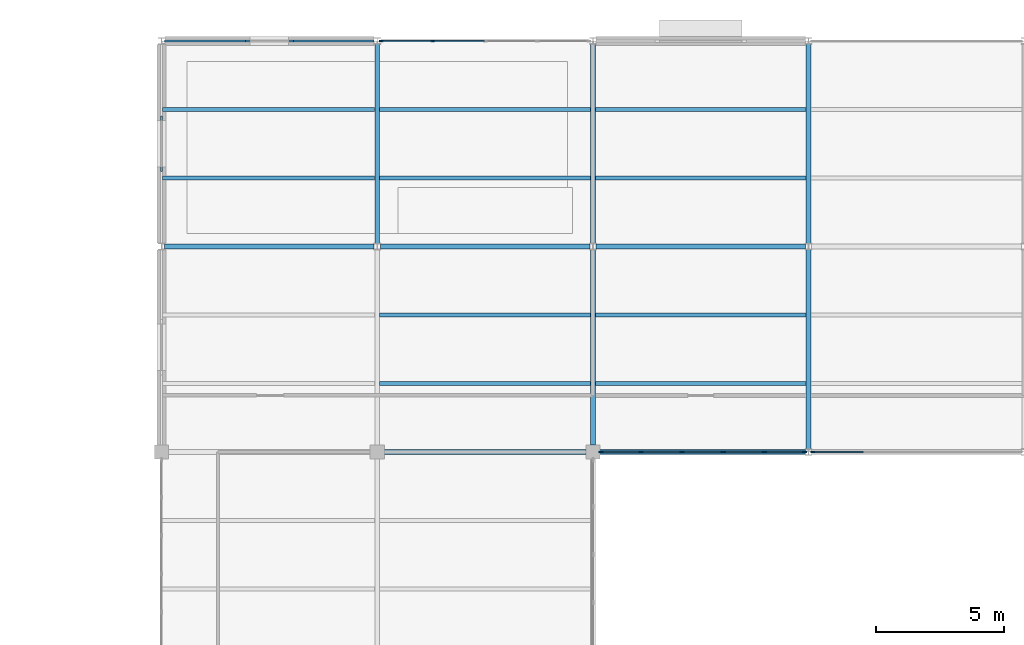
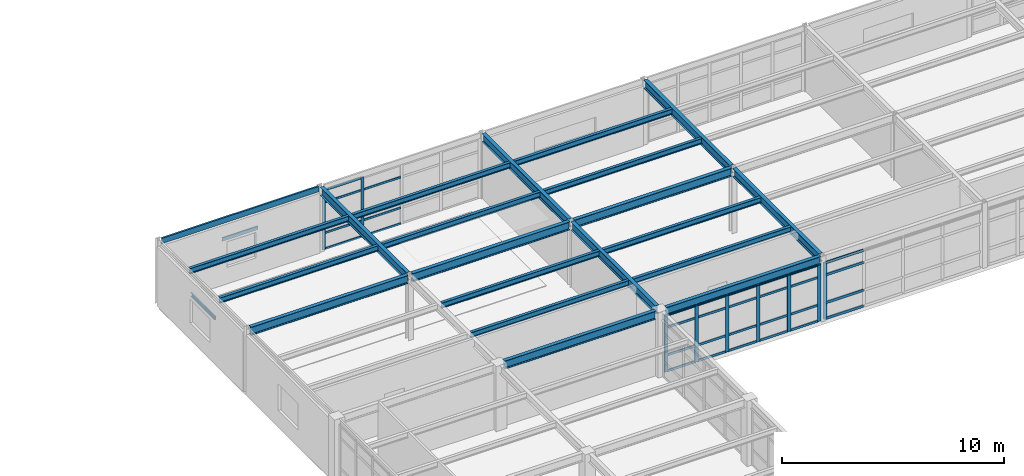
# One storey, part 24 of 53: 40 members, 23 beams, 3 elements without a shape of their own.
"""IFC4 building model written with IfcOpenShell, lengths in metres."""

from ifc_helpers import new_model, si_unit, direction, frame, origin, origin_2d, place, context, subcontext, project, spatial, rectangle, i_section, u_section, extrude, material, layer, layer_set, material_profile, profile_set, type_object, element, aggregate, save


model = new_model("IFC4")

# Units and contexts
model_context = context("Model", 3, precision=1e-05, world=origin(), true_north=direction((0.0, 1.0)))
body_context = subcontext(model_context, "Body", "Model", "MODEL_VIEW")
ifc_project = project(units=[si_unit("LENGTHUNIT", "METRE"), si_unit("AREAUNIT", "SQUARE_METRE"), si_unit("VOLUMEUNIT", "CUBIC_METRE"), si_unit("PLANEANGLEUNIT", "RADIAN"), si_unit("MASSUNIT", "GRAM", prefix="KILO")], contexts=[model_context])

# Site, building, storey
site_placement = place(None, origin())
site = spatial("IfcSite", under=ifc_project, at=site_placement, CompositionType="ELEMENT")
building_placement = place(site_placement, origin())
building = spatial("IfcBuilding", under=site, at=building_placement, Name="Kranzveld Transit Interchange", CompositionType="ELEMENT")
storey_placement = place(building_placement, frame((0.0, 0.0, 13.360107421875)))
storey = spatial("IfcBuildingStorey", under=building, at=storey_placement, Name="L03", CompositionType="ELEMENT", Elevation=13.360107421875)

# Beams
ifc_material_1 = material(Name="Steel S355JR", Category="steel")
ifc_material_profile_1 = material_profile(ifc_material_1, i_section(OverallWidth=0.18994140625, OverallDepth=0.453369140625, WebThickness=0.008544921875, FlangeThickness=0.0126953125, FilletRadius=0.01025390625, at=origin_2d()), Name="UB 457x191x67")
ifc_profile_set_1 = profile_set([ifc_material_profile_1], Name="Steel S355JR")
beam_type_1 = type_object("IfcBeamType", Name="Beam Steel UB 457x191x67 S355JR", PredefinedType="BEAM", material=ifc_profile_set_1)
beam_1_placement = place(storey_placement, frame((109.199951171875, 104.1201171875, 3.353271484375), z_axis=(0.0, 1.0, 0.0), x_axis=(-1.0, 0.0, 0.0)))
element("IfcBeam", 1, at=beam_1_placement, inside=storey, type_object=beam_type_1, Name="L03 Girder 14/P-Q", PredefinedType="BEAM", context=body_context, shape_type="SweptSolid", body=[
    extrude(i_section(OverallWidth=0.18994140625, OverallDepth=0.453369140625, WebThickness=0.008544921875, FlangeThickness=0.0126953125, FilletRadius=0.01025390625, at=origin_2d()), origin(), (0.0, 0.0, 1.0), 7.759765625),
])
beam_2_placement = place(storey_placement, frame((117.60009765625, 96.264892578125, 3.353271484375), z_axis=(0.0, 1.0, 0.0), x_axis=(-1.0, 0.0, 0.0)))
element("IfcBeam", 2, at=beam_2_placement, inside=storey, type_object=beam_type_1, Name="L03 Girder 15/N-P", PredefinedType="BEAM", context=body_context, shape_type="SweptSolid", body=[
    extrude(i_section(OverallWidth=0.18994140625, OverallDepth=0.453369140625, WebThickness=0.008544921875, FlangeThickness=0.0126953125, FilletRadius=0.01025390625, at=origin_2d()), origin(), (0.0, 0.0, 1.0), 7.614990234375),
])
for number, where, z_axis, x_axis, name in (
    (3, (117.60009765625, 104.1201171875, 3.353271484375), (0.0, 1.0, 0.0), (-1.0, 0.0, 0.0), "L03 Girder 15/P-Q"),
    (4, (126.0, 96.1201171875, 3.353271484375), (0.0, 1.0, 0.0), (-1.0, 0.0, 0.0), "L03 Girder 16/N-P"),
    (5, (126.0, 104.1201171875, 3.353271484375), (0.0, 1.0, 0.0), (-1.0, 0.0, 0.0), "L03 Girder 16/P-Q"),
):
    element("IfcBeam", number, at=place(storey_placement, frame(where, z_axis=z_axis, x_axis=x_axis)), inside=storey, type_object=beam_type_1, Name=name, PredefinedType="BEAM", context=body_context, shape_type="SweptSolid", body=[
        extrude(i_section(OverallWidth=0.18994140625, OverallDepth=0.453369140625, WebThickness=0.008544921875, FlangeThickness=0.0126953125, FilletRadius=0.01025390625, at=origin_2d()), origin(), (0.0, 0.0, 1.0), 7.759765625),
    ])
ifc_material_2 = material(Name="Steel S355JR", Category="steel")
ifc_material_profile_2 = material_profile(ifc_material_2, i_section(OverallWidth=0.1904296875, OverallDepth=0.45703125, WebThickness=0.009033203125, FlangeThickness=0.014404296875, FilletRadius=0.01025390625, at=origin_2d()), Name="UB 457x191x74")
ifc_profile_set_2 = profile_set([ifc_material_profile_2], Name="Steel S355JR")
beam_type_2 = type_object("IfcBeamType", Name="Beam Steel UB 457x191x74 S355JR", PredefinedType="BEAM", material=ifc_profile_set_2)
beam_3_placement = place(storey_placement, frame((109.465087890625, 96.0, 3.351318359375), z_axis=(1.0, 0.0, 0.0), x_axis=(0.0, 1.0, 0.0)))
element("IfcBeam", 6, at=beam_3_placement, inside=storey, type_object=beam_type_2, Name="L03 Girder 14-15/N", PredefinedType="BEAM", context=body_context, shape_type="SweptSolid", body=[
    extrude(i_section(OverallWidth=0.1904296875, OverallDepth=0.45703125, WebThickness=0.009033203125, FlangeThickness=0.014404296875, FilletRadius=0.01025390625, at=origin_2d()), origin(), (0.0, 0.0, 1.0), 7.869873046875),
])
beam_4_placement = place(storey_placement, frame((117.864990234375, 96.0, 3.351318359375), z_axis=(1.0, 0.0, 0.0), x_axis=(0.0, 1.0, 0.0)))
element("IfcBeam", 7, at=beam_4_placement, inside=storey, type_object=beam_type_2, Name="L03 Girder 15-16/N", PredefinedType="BEAM", context=body_context, shape_type="SweptSolid", body=[
    extrude(i_section(OverallWidth=0.1904296875, OverallDepth=0.45703125, WebThickness=0.009033203125, FlangeThickness=0.014404296875, FilletRadius=0.01025390625, at=origin_2d()), origin(), (0.0, 0.0, 1.0), 8.016845703125),
])
beam_5_placement = place(storey_placement, frame((100.918212890625, 104.0, 3.351318359375), z_axis=(1.0, 0.0, 0.0), x_axis=(0.0, 1.0, 0.0)))
element("IfcBeam", 8, at=beam_5_placement, inside=storey, type_object=beam_type_2, Name="L03 Girder 13-14/P", PredefinedType="BEAM", context=body_context, shape_type="SweptSolid", body=[
    extrude(i_section(OverallWidth=0.1904296875, OverallDepth=0.45703125, WebThickness=0.009033203125, FlangeThickness=0.014404296875, FilletRadius=0.01025390625, at=origin_2d()), origin(), (0.0, 0.0, 1.0), 8.16357421875),
])
for number, where, z_axis, x_axis, name in (
    (9, (109.318115234375, 104.0, 3.351318359375), (1.0, 0.0, 0.0), (0.0, 1.0, 0.0), "L03 Girder 14-15/P"),
    (10, (117.718017578125, 104.0, 3.351318359375), (1.0, 0.0, 0.0), (0.0, 1.0, 0.0), "L03 Girder 15-16/P"),
):
    element("IfcBeam", number, at=place(storey_placement, frame(where, z_axis=z_axis, x_axis=x_axis)), inside=storey, type_object=beam_type_2, Name=name, PredefinedType="BEAM", context=body_context, shape_type="SweptSolid", body=[
        extrude(i_section(OverallWidth=0.1904296875, OverallDepth=0.45703125, WebThickness=0.009033203125, FlangeThickness=0.014404296875, FilletRadius=0.01025390625, at=origin_2d()), origin(), (0.0, 0.0, 1.0), 8.163818359375),
    ])

# Curtain wall, member
ifc_material_3 = material(Name="Bronze-anodised thermally broken aluminium", Category="aluminium")
ifc_layer_1 = layer(ifc_material_3, 0.159912109375)
ifc_layer_set_1 = layer_set([ifc_layer_1], Name="Bronze-anodised thermally broken aluminium")
curtain_wall_type_1 = type_object("IfcCurtainWallType", Name="Bus Boarding Glazed Screen CW-3", PredefinedType="USERDEFINED", material=ifc_layer_set_1)
curtain_wall_1_placement = place(storey_placement, origin())
curtain_wall_1 = element("IfcCurtainWall", 11, at=curtain_wall_1_placement, inside=storey, type_object=curtain_wall_type_1, Name="L03 Curtain Wall 16/N-17/N", ObjectType="CURTAIN WALL", PredefinedType="USERDEFINED")
ifc_material_4 = material(Name="Bronze-anodised thermally broken aluminium", Category="aluminium")
ifc_material_profile_3 = material_profile(ifc_material_4, rectangle(XDim=0.06005859375, YDim=0.14990234375, at=origin_2d()), Name="ALU MULLION 60x150")
ifc_profile_set_3 = profile_set([ifc_material_profile_3], Name="Bronze-anodised thermally broken aluminium")
member_type_1 = type_object("IfcMemberType", Name="Curtain Wall Mullion 60x150 Alu", PredefinedType="MULLION", material=ifc_profile_set_3)
member_1_placement = place(storey_placement, frame((126.158203125, 96.0, 0.0), z_axis=(0.0, 0.0, 1.0), x_axis=(0.0, 1.0, 0.0)))
member_1 = element("IfcMember", 12, at=member_1_placement, type_object=member_type_1, Name="CW-3 mullion 1", PredefinedType="MULLION", context=body_context, shape_type="SweptSolid", body=[
    extrude(rectangle(XDim=0.06005859375, YDim=0.14990234375, at=origin_2d()), origin(), (0.0, 0.0, 1.0), 3.122802734375),
])

# Curtain wall, members
curtain_wall_2_placement = place(storey_placement, origin())
curtain_wall_2 = element("IfcCurtainWall", 13, at=curtain_wall_2_placement, inside=storey, type_object=curtain_wall_type_1, Name="L03 Curtain Wall 14/Q-15/Q", ObjectType="CURTAIN WALL", PredefinedType="USERDEFINED")
member_2_placement = place(storey_placement, frame((109.358154296875, 112.0, 0.0), z_axis=(0.0, 0.0, 1.0), x_axis=(0.0, 1.0, 0.0)))
member_2 = element("IfcMember", 14, at=member_2_placement, type_object=member_type_1, Name="CW-3 mullion 1", PredefinedType="MULLION", context=body_context, shape_type="SweptSolid", body=[
    extrude(rectangle(XDim=0.06005859375, YDim=0.14990234375, at=origin_2d()), origin(), (0.0, 0.0, 1.0), 3.27978515625),
])
member_3_placement = place(storey_placement, frame((111.364013671875, 112.0, 0.0), z_axis=(0.0, 0.0, 1.0), x_axis=(0.0, 1.0, 0.0)))
member_3 = element("IfcMember", 15, at=member_3_placement, type_object=member_type_1, Name="CW-3 mullion 2", PredefinedType="MULLION", context=body_context, shape_type="SweptSolid", body=[
    extrude(rectangle(XDim=0.06005859375, YDim=0.14990234375, at=origin_2d()), origin(), (0.0, 0.0, 1.0), 3.27978515625),
])

ifc_material_5 = material(Name="Bronze-anodised thermally broken aluminium", Category="aluminium")
ifc_layer_2 = layer(ifc_material_5, 0.1650390625)
ifc_layer_set_2 = layer_set([ifc_layer_2], Name="Bronze-anodised thermally broken aluminium")
curtain_wall_type_2 = type_object("IfcCurtainWallType", Name="Sunny Court Arcade Curtain Wall CW-2", PredefinedType="USERDEFINED", material=ifc_layer_set_2)
curtain_wall_3_placement = place(storey_placement, origin())
curtain_wall_3 = element("IfcCurtainWall", 16, at=curtain_wall_3_placement, inside=storey, type_object=curtain_wall_type_2, Name="L03 Curtain Wall 15/N-16/N", ObjectType="CURTAIN WALL", PredefinedType="USERDEFINED")
ifc_material_6 = material(Name="Bronze-anodised thermally broken aluminium", Category="aluminium")
ifc_material_profile_4 = material_profile(ifc_material_6, rectangle(XDim=0.06494140625, YDim=0.179931640625, at=origin_2d()), Name="ALU MULLION 65x180")
ifc_profile_set_4 = profile_set([ifc_material_profile_4], Name="Bronze-anodised thermally broken aluminium")
member_type_2 = type_object("IfcMemberType", Name="Curtain Wall Mullion 65x180 Alu", PredefinedType="MULLION", material=ifc_profile_set_4)
member_4_placement = place(storey_placement, frame((117.907470703125, 96.0, 0.0), z_axis=(0.0, 0.0, 1.0), x_axis=(0.0, 1.0, 0.0)))
member_4 = element("IfcMember", 17, at=member_4_placement, type_object=member_type_2, Name="CW-2 mullion 1", PredefinedType="MULLION", context=body_context, shape_type="SweptSolid", body=[
    extrude(rectangle(XDim=0.06494140625, YDim=0.179931640625, at=origin_2d()), origin(), (0.0, 0.0, 1.0), 3.122802734375),
])
member_5_placement = place(storey_placement, frame((119.474365234375, 96.0, 0.0), z_axis=(0.0, 0.0, 1.0), x_axis=(0.0, 1.0, 0.0)))
member_5 = element("IfcMember", 18, at=member_5_placement, type_object=member_type_2, Name="CW-2 mullion 2", PredefinedType="MULLION", context=body_context, shape_type="SweptSolid", body=[
    extrude(rectangle(XDim=0.06494140625, YDim=0.179931640625, at=origin_2d()), origin(), (0.0, 0.0, 1.0), 3.122802734375),
])
member_6_placement = place(storey_placement, frame((121.07373046875, 96.0, 0.0), z_axis=(0.0, 0.0, 1.0), x_axis=(0.0, 1.0, 0.0)))
member_6 = element("IfcMember", 19, at=member_6_placement, type_object=member_type_2, Name="CW-2 mullion 3", PredefinedType="MULLION", context=body_context, shape_type="SweptSolid", body=[
    extrude(rectangle(XDim=0.06494140625, YDim=0.179931640625, at=origin_2d()), origin(), (0.0, 0.0, 1.0), 3.122802734375),
])
member_7_placement = place(storey_placement, frame((122.673095703125, 96.0, 0.0), z_axis=(0.0, 0.0, 1.0), x_axis=(0.0, 1.0, 0.0)))
member_7 = element("IfcMember", 20, at=member_7_placement, type_object=member_type_2, Name="CW-2 mullion 4", PredefinedType="MULLION", context=body_context, shape_type="SweptSolid", body=[
    extrude(rectangle(XDim=0.06494140625, YDim=0.179931640625, at=origin_2d()), origin(), (0.0, 0.0, 1.0), 3.122802734375),
])
member_8_placement = place(storey_placement, frame((124.2724609375, 96.0, 0.0), z_axis=(0.0, 0.0, 1.0), x_axis=(0.0, 1.0, 0.0)))
member_8 = element("IfcMember", 21, at=member_8_placement, type_object=member_type_2, Name="CW-2 mullion 5", PredefinedType="MULLION", context=body_context, shape_type="SweptSolid", body=[
    extrude(rectangle(XDim=0.06494140625, YDim=0.179931640625, at=origin_2d()), origin(), (0.0, 0.0, 1.0), 3.122802734375),
])
member_9_placement = place(storey_placement, frame((125.83935546875, 96.0, 0.0), z_axis=(0.0, 0.0, 1.0), x_axis=(0.0, 1.0, 0.0)))
member_9 = element("IfcMember", 22, at=member_9_placement, type_object=member_type_2, Name="CW-2 mullion 6", PredefinedType="MULLION", context=body_context, shape_type="SweptSolid", body=[
    extrude(rectangle(XDim=0.06494140625, YDim=0.179931640625, at=origin_2d()), origin(), (0.0, 0.0, 1.0), 3.122802734375),
])

# Member
ifc_material_7 = material(Name="Bronze-anodised thermally broken aluminium", Category="aluminium")
ifc_material_profile_5 = material_profile(ifc_material_7, rectangle(XDim=0.06005859375, YDim=0.110107421875, at=origin_2d()), Name="ALU TRANSOM 60x110")
ifc_profile_set_5 = profile_set([ifc_material_profile_5], Name="Bronze-anodised thermally broken aluminium")
member_type_3 = type_object("IfcMemberType", Name="Curtain Wall Transom 60x110 Alu", PredefinedType="USERDEFINED", material=ifc_profile_set_5)
member_10_placement = place(storey_placement, frame((109.38818359375, 112.0, 0.02978515625), z_axis=(1.0, 0.0, 0.0), x_axis=(0.0, 1.0, 0.0)))
member_10 = element("IfcMember", 23, at=member_10_placement, type_object=member_type_3, Name="CW-3 transom 1.1", ObjectType="TRANSOM", PredefinedType="USERDEFINED", context=body_context, shape_type="SweptSolid", body=[
    extrude(rectangle(XDim=0.06005859375, YDim=0.110107421875, at=origin_2d()), origin(), (0.0, 0.0, 1.0), 1.94580078125),
])

member_11_placement = place(storey_placement, frame((109.38818359375, 112.0, 0.89990234375), z_axis=(1.0, 0.0, 0.0), x_axis=(0.0, 1.0, 0.0)))
member_11 = element("IfcMember", 24, at=member_11_placement, type_object=member_type_3, Name="CW-3 transom 1.2", ObjectType="TRANSOM", PredefinedType="USERDEFINED", context=body_context, shape_type="SweptSolid", body=[
    extrude(rectangle(XDim=0.06005859375, YDim=0.110107421875, at=origin_2d()), origin(), (0.0, 0.0, 1.0), 1.94580078125),
])

member_12_placement = place(storey_placement, frame((109.38818359375, 112.0, 2.579833984375), z_axis=(1.0, 0.0, 0.0), x_axis=(0.0, 1.0, 0.0)))
member_12 = element("IfcMember", 25, at=member_12_placement, type_object=member_type_3, Name="CW-3 transom 1.3", ObjectType="TRANSOM", PredefinedType="USERDEFINED", context=body_context, shape_type="SweptSolid", body=[
    extrude(rectangle(XDim=0.06005859375, YDim=0.110107421875, at=origin_2d()), origin(), (0.0, 0.0, 1.0), 1.94580078125),
])

member_13_placement = place(storey_placement, frame((109.38818359375, 112.0, 3.25), z_axis=(1.0, 0.0, 0.0), x_axis=(0.0, 1.0, 0.0)))
member_13 = element("IfcMember", 26, at=member_13_placement, type_object=member_type_3, Name="CW-3 transom 1.4", ObjectType="TRANSOM", PredefinedType="USERDEFINED", context=body_context, shape_type="SweptSolid", body=[
    extrude(rectangle(XDim=0.06005859375, YDim=0.110107421875, at=origin_2d()), origin(), (0.0, 0.0, 1.0), 1.94580078125),
])

member_14_placement = place(storey_placement, frame((111.39404296875, 112.0, 0.02978515625), z_axis=(1.0, 0.0, 0.0), x_axis=(0.0, 1.0, 0.0)))
member_14 = element("IfcMember", 27, at=member_14_placement, type_object=member_type_3, Name="CW-3 transom 2.1", ObjectType="TRANSOM", PredefinedType="USERDEFINED", context=body_context, shape_type="SweptSolid", body=[
    extrude(rectangle(XDim=0.06005859375, YDim=0.110107421875, at=origin_2d()), origin(), (0.0, 0.0, 1.0), 1.97607421875),
])

member_15_placement = place(storey_placement, frame((111.39404296875, 112.0, 0.89990234375), z_axis=(1.0, 0.0, 0.0), x_axis=(0.0, 1.0, 0.0)))
member_15 = element("IfcMember", 28, at=member_15_placement, type_object=member_type_3, Name="CW-3 transom 2.2", ObjectType="TRANSOM", PredefinedType="USERDEFINED", context=body_context, shape_type="SweptSolid", body=[
    extrude(rectangle(XDim=0.06005859375, YDim=0.110107421875, at=origin_2d()), origin(), (0.0, 0.0, 1.0), 1.97607421875),
])

member_16_placement = place(storey_placement, frame((111.39404296875, 112.0, 2.579833984375), z_axis=(1.0, 0.0, 0.0), x_axis=(0.0, 1.0, 0.0)))
member_16 = element("IfcMember", 29, at=member_16_placement, type_object=member_type_3, Name="CW-3 transom 2.3", ObjectType="TRANSOM", PredefinedType="USERDEFINED", context=body_context, shape_type="SweptSolid", body=[
    extrude(rectangle(XDim=0.06005859375, YDim=0.110107421875, at=origin_2d()), origin(), (0.0, 0.0, 1.0), 1.97607421875),
])

aggregate(curtain_wall_2, [member_2, member_3, member_10, member_11, member_12, member_13, member_14, member_15, member_16])

ifc_material_8 = material(Name="Bronze-anodised thermally broken aluminium", Category="aluminium")
ifc_material_profile_6 = material_profile(ifc_material_8, rectangle(XDim=0.06005859375, YDim=0.125, at=origin_2d()), Name="ALU TRANSOM 60x125")
ifc_profile_set_6 = profile_set([ifc_material_profile_6], Name="Bronze-anodised thermally broken aluminium")
member_type_4 = type_object("IfcMemberType", Name="Curtain Wall Transom 60x125 Alu", PredefinedType="USERDEFINED", material=ifc_profile_set_6)
member_17_placement = place(storey_placement, frame((117.93994140625, 96.0, 0.02978515625), z_axis=(1.0, 0.0, 0.0), x_axis=(0.0, 1.0, 0.0)))
member_17 = element("IfcMember", 30, at=member_17_placement, type_object=member_type_4, Name="CW-2 transom 1.1", ObjectType="TRANSOM", PredefinedType="USERDEFINED", context=body_context, shape_type="SweptSolid", body=[
    extrude(rectangle(XDim=0.06005859375, YDim=0.125, at=origin_2d()), origin(), (0.0, 0.0, 1.0), 1.501953125),
])

member_18_placement = place(storey_placement, frame((117.93994140625, 96.0, 0.89990234375), z_axis=(1.0, 0.0, 0.0), x_axis=(0.0, 1.0, 0.0)))
member_18 = element("IfcMember", 31, at=member_18_placement, type_object=member_type_4, Name="CW-2 transom 1.2", ObjectType="TRANSOM", PredefinedType="USERDEFINED", context=body_context, shape_type="SweptSolid", body=[
    extrude(rectangle(XDim=0.06005859375, YDim=0.125, at=origin_2d()), origin(), (0.0, 0.0, 1.0), 1.501953125),
])

member_19_placement = place(storey_placement, frame((117.93994140625, 96.0, 2.4228515625), z_axis=(1.0, 0.0, 0.0), x_axis=(0.0, 1.0, 0.0)))
member_19 = element("IfcMember", 32, at=member_19_placement, type_object=member_type_4, Name="CW-2 transom 1.3", ObjectType="TRANSOM", PredefinedType="USERDEFINED", context=body_context, shape_type="SweptSolid", body=[
    extrude(rectangle(XDim=0.06005859375, YDim=0.125, at=origin_2d()), origin(), (0.0, 0.0, 1.0), 1.501953125),
])

member_20_placement = place(storey_placement, frame((117.93994140625, 96.0, 3.0927734375), z_axis=(1.0, 0.0, 0.0), x_axis=(0.0, 1.0, 0.0)))
member_20 = element("IfcMember", 33, at=member_20_placement, type_object=member_type_4, Name="CW-2 transom 1.4", ObjectType="TRANSOM", PredefinedType="USERDEFINED", context=body_context, shape_type="SweptSolid", body=[
    extrude(rectangle(XDim=0.06005859375, YDim=0.125, at=origin_2d()), origin(), (0.0, 0.0, 1.0), 1.501953125),
])

member_21_placement = place(storey_placement, frame((119.5068359375, 96.0, 0.02978515625), z_axis=(1.0, 0.0, 0.0), x_axis=(0.0, 1.0, 0.0)))
member_21 = element("IfcMember", 34, at=member_21_placement, type_object=member_type_4, Name="CW-2 transom 2.1", ObjectType="TRANSOM", PredefinedType="USERDEFINED", context=body_context, shape_type="SweptSolid", body=[
    extrude(rectangle(XDim=0.06005859375, YDim=0.125, at=origin_2d()), origin(), (0.0, 0.0, 1.0), 1.534423828125),
])

member_22_placement = place(storey_placement, frame((119.5068359375, 96.0, 0.89990234375), z_axis=(1.0, 0.0, 0.0), x_axis=(0.0, 1.0, 0.0)))
member_22 = element("IfcMember", 35, at=member_22_placement, type_object=member_type_4, Name="CW-2 transom 2.2", ObjectType="TRANSOM", PredefinedType="USERDEFINED", context=body_context, shape_type="SweptSolid", body=[
    extrude(rectangle(XDim=0.06005859375, YDim=0.125, at=origin_2d()), origin(), (0.0, 0.0, 1.0), 1.534423828125),
])

member_23_placement = place(storey_placement, frame((119.5068359375, 96.0, 2.4228515625), z_axis=(1.0, 0.0, 0.0), x_axis=(0.0, 1.0, 0.0)))
member_23 = element("IfcMember", 36, at=member_23_placement, type_object=member_type_4, Name="CW-2 transom 2.3", ObjectType="TRANSOM", PredefinedType="USERDEFINED", context=body_context, shape_type="SweptSolid", body=[
    extrude(rectangle(XDim=0.06005859375, YDim=0.125, at=origin_2d()), origin(), (0.0, 0.0, 1.0), 1.534423828125),
])

member_24_placement = place(storey_placement, frame((119.5068359375, 96.0, 3.0927734375), z_axis=(1.0, 0.0, 0.0), x_axis=(0.0, 1.0, 0.0)))
member_24 = element("IfcMember", 37, at=member_24_placement, type_object=member_type_4, Name="CW-2 transom 2.4", ObjectType="TRANSOM", PredefinedType="USERDEFINED", context=body_context, shape_type="SweptSolid", body=[
    extrude(rectangle(XDim=0.06005859375, YDim=0.125, at=origin_2d()), origin(), (0.0, 0.0, 1.0), 1.534423828125),
])

member_25_placement = place(storey_placement, frame((121.106201171875, 96.0, 0.02978515625), z_axis=(1.0, 0.0, 0.0), x_axis=(0.0, 1.0, 0.0)))
member_25 = element("IfcMember", 38, at=member_25_placement, type_object=member_type_4, Name="CW-2 transom 3.1", ObjectType="TRANSOM", PredefinedType="USERDEFINED", context=body_context, shape_type="SweptSolid", body=[
    extrude(rectangle(XDim=0.06005859375, YDim=0.125, at=origin_2d()), origin(), (0.0, 0.0, 1.0), 1.534423828125),
])

member_26_placement = place(storey_placement, frame((121.106201171875, 96.0, 0.89990234375), z_axis=(1.0, 0.0, 0.0), x_axis=(0.0, 1.0, 0.0)))
member_26 = element("IfcMember", 39, at=member_26_placement, type_object=member_type_4, Name="CW-2 transom 3.2", ObjectType="TRANSOM", PredefinedType="USERDEFINED", context=body_context, shape_type="SweptSolid", body=[
    extrude(rectangle(XDim=0.06005859375, YDim=0.125, at=origin_2d()), origin(), (0.0, 0.0, 1.0), 1.534423828125),
])

member_27_placement = place(storey_placement, frame((121.106201171875, 96.0, 2.4228515625), z_axis=(1.0, 0.0, 0.0), x_axis=(0.0, 1.0, 0.0)))
member_27 = element("IfcMember", 40, at=member_27_placement, type_object=member_type_4, Name="CW-2 transom 3.3", ObjectType="TRANSOM", PredefinedType="USERDEFINED", context=body_context, shape_type="SweptSolid", body=[
    extrude(rectangle(XDim=0.06005859375, YDim=0.125, at=origin_2d()), origin(), (0.0, 0.0, 1.0), 1.534423828125),
])

member_28_placement = place(storey_placement, frame((121.106201171875, 96.0, 3.0927734375), z_axis=(1.0, 0.0, 0.0), x_axis=(0.0, 1.0, 0.0)))
member_28 = element("IfcMember", 41, at=member_28_placement, type_object=member_type_4, Name="CW-2 transom 3.4", ObjectType="TRANSOM", PredefinedType="USERDEFINED", context=body_context, shape_type="SweptSolid", body=[
    extrude(rectangle(XDim=0.06005859375, YDim=0.125, at=origin_2d()), origin(), (0.0, 0.0, 1.0), 1.534423828125),
])

member_29_placement = place(storey_placement, frame((122.70556640625, 96.0, 0.02978515625), z_axis=(1.0, 0.0, 0.0), x_axis=(0.0, 1.0, 0.0)))
member_29 = element("IfcMember", 42, at=member_29_placement, type_object=member_type_4, Name="CW-2 transom 4.1", ObjectType="TRANSOM", PredefinedType="USERDEFINED", context=body_context, shape_type="SweptSolid", body=[
    extrude(rectangle(XDim=0.06005859375, YDim=0.125, at=origin_2d()), origin(), (0.0, 0.0, 1.0), 1.534423828125),
])

member_30_placement = place(storey_placement, frame((122.70556640625, 96.0, 0.89990234375), z_axis=(1.0, 0.0, 0.0), x_axis=(0.0, 1.0, 0.0)))
member_30 = element("IfcMember", 43, at=member_30_placement, type_object=member_type_4, Name="CW-2 transom 4.2", ObjectType="TRANSOM", PredefinedType="USERDEFINED", context=body_context, shape_type="SweptSolid", body=[
    extrude(rectangle(XDim=0.06005859375, YDim=0.125, at=origin_2d()), origin(), (0.0, 0.0, 1.0), 1.534423828125),
])

member_31_placement = place(storey_placement, frame((122.70556640625, 96.0, 2.4228515625), z_axis=(1.0, 0.0, 0.0), x_axis=(0.0, 1.0, 0.0)))
member_31 = element("IfcMember", 44, at=member_31_placement, type_object=member_type_4, Name="CW-2 transom 4.3", ObjectType="TRANSOM", PredefinedType="USERDEFINED", context=body_context, shape_type="SweptSolid", body=[
    extrude(rectangle(XDim=0.06005859375, YDim=0.125, at=origin_2d()), origin(), (0.0, 0.0, 1.0), 1.534423828125),
])

member_32_placement = place(storey_placement, frame((122.70556640625, 96.0, 3.0927734375), z_axis=(1.0, 0.0, 0.0), x_axis=(0.0, 1.0, 0.0)))
member_32 = element("IfcMember", 45, at=member_32_placement, type_object=member_type_4, Name="CW-2 transom 4.4", ObjectType="TRANSOM", PredefinedType="USERDEFINED", context=body_context, shape_type="SweptSolid", body=[
    extrude(rectangle(XDim=0.06005859375, YDim=0.125, at=origin_2d()), origin(), (0.0, 0.0, 1.0), 1.534423828125),
])

member_33_placement = place(storey_placement, frame((124.304931640625, 96.0, 0.02978515625), z_axis=(1.0, 0.0, 0.0), x_axis=(0.0, 1.0, 0.0)))
member_33 = element("IfcMember", 46, at=member_33_placement, type_object=member_type_4, Name="CW-2 transom 5.1", ObjectType="TRANSOM", PredefinedType="USERDEFINED", context=body_context, shape_type="SweptSolid", body=[
    extrude(rectangle(XDim=0.06005859375, YDim=0.125, at=origin_2d()), origin(), (0.0, 0.0, 1.0), 1.501953125),
])

member_34_placement = place(storey_placement, frame((124.304931640625, 96.0, 0.89990234375), z_axis=(1.0, 0.0, 0.0), x_axis=(0.0, 1.0, 0.0)))
member_34 = element("IfcMember", 47, at=member_34_placement, type_object=member_type_4, Name="CW-2 transom 5.2", ObjectType="TRANSOM", PredefinedType="USERDEFINED", context=body_context, shape_type="SweptSolid", body=[
    extrude(rectangle(XDim=0.06005859375, YDim=0.125, at=origin_2d()), origin(), (0.0, 0.0, 1.0), 1.501953125),
])

member_35_placement = place(storey_placement, frame((124.304931640625, 96.0, 2.4228515625), z_axis=(1.0, 0.0, 0.0), x_axis=(0.0, 1.0, 0.0)))
member_35 = element("IfcMember", 48, at=member_35_placement, type_object=member_type_4, Name="CW-2 transom 5.3", ObjectType="TRANSOM", PredefinedType="USERDEFINED", context=body_context, shape_type="SweptSolid", body=[
    extrude(rectangle(XDim=0.06005859375, YDim=0.125, at=origin_2d()), origin(), (0.0, 0.0, 1.0), 1.501953125),
])

member_36_placement = place(storey_placement, frame((124.304931640625, 96.0, 3.0927734375), z_axis=(1.0, 0.0, 0.0), x_axis=(0.0, 1.0, 0.0)))
member_36 = element("IfcMember", 49, at=member_36_placement, type_object=member_type_4, Name="CW-2 transom 5.4", ObjectType="TRANSOM", PredefinedType="USERDEFINED", context=body_context, shape_type="SweptSolid", body=[
    extrude(rectangle(XDim=0.06005859375, YDim=0.125, at=origin_2d()), origin(), (0.0, 0.0, 1.0), 1.501953125),
])

aggregate(curtain_wall_3, [member_4, member_5, member_6, member_7, member_8, member_9, member_17, member_18, member_19, member_20, member_21, member_22, member_23, member_24, member_25, member_26, member_27, member_28, member_29, member_30, member_31, member_32, member_33, member_34, member_35, member_36])

ifc_material_9 = material(Name="Bronze-anodised thermally broken aluminium", Category="aluminium")
ifc_material_profile_7 = material_profile(ifc_material_9, rectangle(XDim=0.06494140625, YDim=0.139892578125, at=origin_2d()), Name="ALU TRANSOM 65x140")
ifc_profile_set_7 = profile_set([ifc_material_profile_7], Name="Bronze-anodised thermally broken aluminium")
member_type_5 = type_object("IfcMemberType", Name="Curtain Wall Transom 65x140 Alu", PredefinedType="USERDEFINED", material=ifc_profile_set_7)
member_37_placement = place(storey_placement, frame((126.18798828125, 96.0, 0.032470703125), z_axis=(1.0, 0.0, 0.0), x_axis=(0.0, 1.0, 0.0)))
member_37 = element("IfcMember", 50, at=member_37_placement, type_object=member_type_5, Name="CW-3 transom 1.1", ObjectType="TRANSOM", PredefinedType="USERDEFINED", context=body_context, shape_type="SweptSolid", body=[
    extrude(rectangle(XDim=0.06494140625, YDim=0.139892578125, at=origin_2d()), origin(), (0.0, 0.0, 1.0), 1.946044921875),
])

member_38_placement = place(storey_placement, frame((126.18798828125, 96.0, 0.89990234375), z_axis=(1.0, 0.0, 0.0), x_axis=(0.0, 1.0, 0.0)))
member_38 = element("IfcMember", 51, at=member_38_placement, type_object=member_type_5, Name="CW-3 transom 1.2", ObjectType="TRANSOM", PredefinedType="USERDEFINED", context=body_context, shape_type="SweptSolid", body=[
    extrude(rectangle(XDim=0.06494140625, YDim=0.139892578125, at=origin_2d()), origin(), (0.0, 0.0, 1.0), 1.946044921875),
])

member_39_placement = place(storey_placement, frame((126.18798828125, 96.0, 2.4228515625), z_axis=(1.0, 0.0, 0.0), x_axis=(0.0, 1.0, 0.0)))
member_39 = element("IfcMember", 52, at=member_39_placement, type_object=member_type_5, Name="CW-3 transom 1.3", ObjectType="TRANSOM", PredefinedType="USERDEFINED", context=body_context, shape_type="SweptSolid", body=[
    extrude(rectangle(XDim=0.06494140625, YDim=0.139892578125, at=origin_2d()), origin(), (0.0, 0.0, 1.0), 1.946044921875),
])

member_40_placement = place(storey_placement, frame((126.18798828125, 96.0, 3.09033203125), z_axis=(1.0, 0.0, 0.0), x_axis=(0.0, 1.0, 0.0)))
member_40 = element("IfcMember", 53, at=member_40_placement, type_object=member_type_5, Name="CW-3 transom 1.4", ObjectType="TRANSOM", PredefinedType="USERDEFINED", context=body_context, shape_type="SweptSolid", body=[
    extrude(rectangle(XDim=0.06494140625, YDim=0.139892578125, at=origin_2d()), origin(), (0.0, 0.0, 1.0), 1.946044921875),
])

aggregate(curtain_wall_1, [member_1, member_37, member_38, member_39, member_40])

# Beams
ifc_material_10 = material(Name="Steel S355JR", Category="steel")
ifc_material_profile_8 = material_profile(ifc_material_10, i_section(OverallWidth=0.14990234375, OverallDepth=0.300048828125, WebThickness=0.007080078125, FlangeThickness=0.0107421875, FilletRadius=0.014892578125, at=origin_2d()), Name="IPE 300")
ifc_profile_set_8 = profile_set([ifc_material_profile_8], Name="Steel S355JR")
beam_type_3 = type_object("IfcBeamType", Name="Deck Joist IPE 300 S355JR", PredefinedType="JOIST", material=ifc_profile_set_8)
for number, where, z_axis, x_axis, name in (
    (54, (100.846923828125, 106.666748046875, 3.429931640625), (1.0, 0.0, 0.0), (0.0, 1.0, 0.0), "L03 Secondary Joist 13-14/P.1"),
    (55, (100.846923828125, 109.333251953125, 3.429931640625), (1.0, 0.0, 0.0), (0.0, 1.0, 0.0), "L03 Secondary Joist 13-14/P.2"),
):
    element("IfcBeam", number, at=place(storey_placement, frame(where, z_axis=z_axis, x_axis=x_axis)), inside=storey, type_object=beam_type_3, Name=name, PredefinedType="JOIST", context=body_context, shape_type="SweptSolid", body=[
        extrude(i_section(OverallWidth=0.14990234375, OverallDepth=0.300048828125, WebThickness=0.007080078125, FlangeThickness=0.0107421875, FilletRadius=0.014892578125, at=origin_2d()), origin(), (0.0, 0.0, 1.0), 8.256103515625),
    ])
for number, where, z_axis, x_axis, name in (
    (56, (109.296875, 98.666748046875, 3.429931640625), (1.0, 0.0, 0.0), (0.0, 1.0, 0.0), "L03 Secondary Joist 14-15/N.1"),
    (57, (109.296875, 101.333251953125, 3.429931640625), (1.0, 0.0, 0.0), (0.0, 1.0, 0.0), "L03 Secondary Joist 14-15/N.2"),
    (58, (109.296875, 106.666748046875, 3.429931640625), (1.0, 0.0, 0.0), (0.0, 1.0, 0.0), "L03 Secondary Joist 14-15/P.1"),
    (59, (109.296875, 109.333251953125, 3.429931640625), (1.0, 0.0, 0.0), (0.0, 1.0, 0.0), "L03 Secondary Joist 14-15/P.2"),
    (60, (117.697021484375, 98.666748046875, 3.429931640625), (1.0, 0.0, 0.0), (0.0, 1.0, 0.0), "L03 Secondary Joist 15-16/N.1"),
    (61, (117.697021484375, 101.333251953125, 3.429931640625), (1.0, 0.0, 0.0), (0.0, 1.0, 0.0), "L03 Secondary Joist 15-16/N.2"),
    (62, (117.697021484375, 106.666748046875, 3.429931640625), (1.0, 0.0, 0.0), (0.0, 1.0, 0.0), "L03 Secondary Joist 15-16/P.1"),
    (63, (117.697021484375, 109.333251953125, 3.429931640625), (1.0, 0.0, 0.0), (0.0, 1.0, 0.0), "L03 Secondary Joist 15-16/P.2"),
):
    element("IfcBeam", number, at=place(storey_placement, frame(where, z_axis=z_axis, x_axis=x_axis)), inside=storey, type_object=beam_type_3, Name=name, PredefinedType="JOIST", context=body_context, shape_type="SweptSolid", body=[
        extrude(i_section(OverallWidth=0.14990234375, OverallDepth=0.300048828125, WebThickness=0.007080078125, FlangeThickness=0.0107421875, FilletRadius=0.014892578125, at=origin_2d()), origin(), (0.0, 0.0, 1.0), 8.2060546875),
    ])
ifc_material_11 = material(Name="Steel S355JR", Category="steel")
ifc_material_profile_9 = material_profile(ifc_material_11, u_section(Depth=0.300048828125, FlangeWidth=0.090087890625, WebThickness=0.009033203125, FlangeThickness=0.015380859375, FilletRadius=0.011962890625, at=origin_2d()), Name="PFC 300x90x41")
ifc_profile_set_9 = profile_set([ifc_material_profile_9], Name="Steel S355JR")
beam_type_4 = type_object("IfcBeamType", Name="Edge Spandrel PFC 300x90x41 S355JR", PredefinedType="SPANDREL", material=ifc_profile_set_9)
beam_6_placement = place(storey_placement, frame((100.918212890625, 112.0, 3.429931640625), z_axis=(1.0, 0.0, 0.0), x_axis=(0.0, 1.0, 0.0)))
element("IfcBeam", 64, at=beam_6_placement, inside=storey, type_object=beam_type_4, Name="L03 Girder 13-14/Q", PredefinedType="SPANDREL", context=body_context, shape_type="SweptSolid", body=[
    extrude(u_section(Depth=0.300048828125, FlangeWidth=0.090087890625, WebThickness=0.009033203125, FlangeThickness=0.015380859375, FilletRadius=0.011962890625, at=origin_2d()), origin(), (0.0, 0.0, 1.0), 8.16357421875),
])
ifc_material_12 = material(Name="Steel S355JR", Category="steel")
ifc_material_profile_10 = material_profile(ifc_material_12, u_section(Depth=0.179931640625, FlangeWidth=0.070068359375, WebThickness=0.007080078125, FlangeThickness=0.010986328125, FilletRadius=0.010009765625, at=origin_2d()), Name="PFC 180x70x22")
ifc_profile_set_10 = profile_set([ifc_material_profile_10], Name="Steel S355JR")
beam_type_5 = type_object("IfcBeamType", Name="Masonry Lintel PFC 180x70x22 S355JR", PredefinedType="LINTEL", material=ifc_profile_set_10)
beam_7_placement = place(storey_placement, frame((104.070068359375, 112.0, 2.394775390625), z_axis=(1.0, 0.0, 0.0), x_axis=(0.0, 1.0, 0.0)))
element("IfcBeam", 65, at=beam_7_placement, inside=storey, type_object=beam_type_5, Name="L03 Window Lintel 193", PredefinedType="LINTEL", context=body_context, shape_type="SweptSolid", body=[
    extrude(u_section(Depth=0.179931640625, FlangeWidth=0.070068359375, WebThickness=0.007080078125, FlangeThickness=0.010986328125, FilletRadius=0.010009765625, at=origin_2d()), origin(), (0.0, 0.0, 1.0), 1.85986328125),
])
ifc_material_13 = material(Name="Steel S355JR", Category="steel")
ifc_material_profile_11 = material_profile(ifc_material_13, u_section(Depth=0.199951171875, FlangeWidth=0.074951171875, WebThickness=0.006103515625, FlangeThickness=0.012451171875, FilletRadius=0.011962890625, at=origin_2d()), Name="PFC 200x75x23")
ifc_profile_set_11 = profile_set([ifc_material_profile_11], Name="Steel S355JR")
beam_type_6 = type_object("IfcBeamType", Name="Masonry Lintel PFC 200x75x23 S355JR", PredefinedType="LINTEL", material=ifc_profile_set_11)
beam_8_placement = place(storey_placement, frame((100.800048828125, 106.919921875, 2.304931640625), z_axis=(0.0, 1.0, 0.0), x_axis=(-1.0, 0.0, 0.0)))
element("IfcBeam", 66, at=beam_8_placement, inside=storey, type_object=beam_type_6, Name="L03 Window Lintel 192", PredefinedType="LINTEL", context=body_context, shape_type="SweptSolid", body=[
    extrude(u_section(Depth=0.199951171875, FlangeWidth=0.074951171875, WebThickness=0.006103515625, FlangeThickness=0.012451171875, FilletRadius=0.011962890625, at=origin_2d()), origin(), (0.0, 0.0, 1.0), 2.16015625),
])

save(model, "model.ifc")
